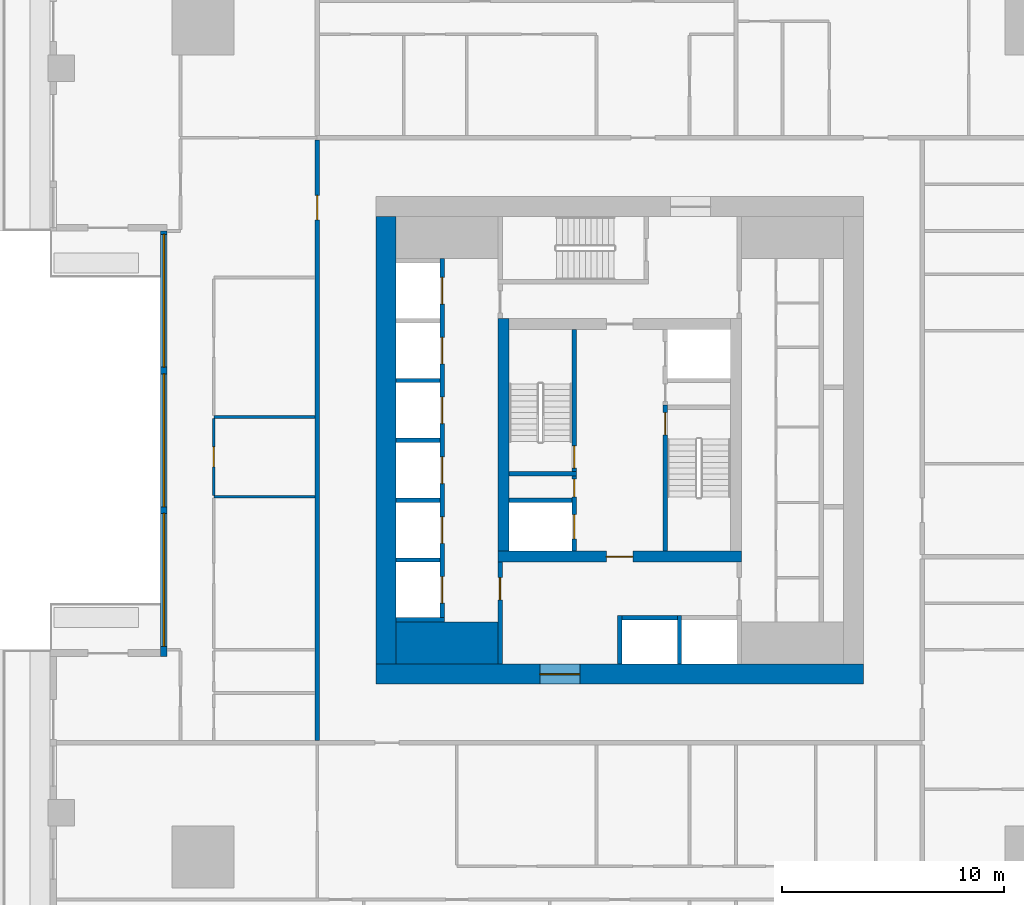
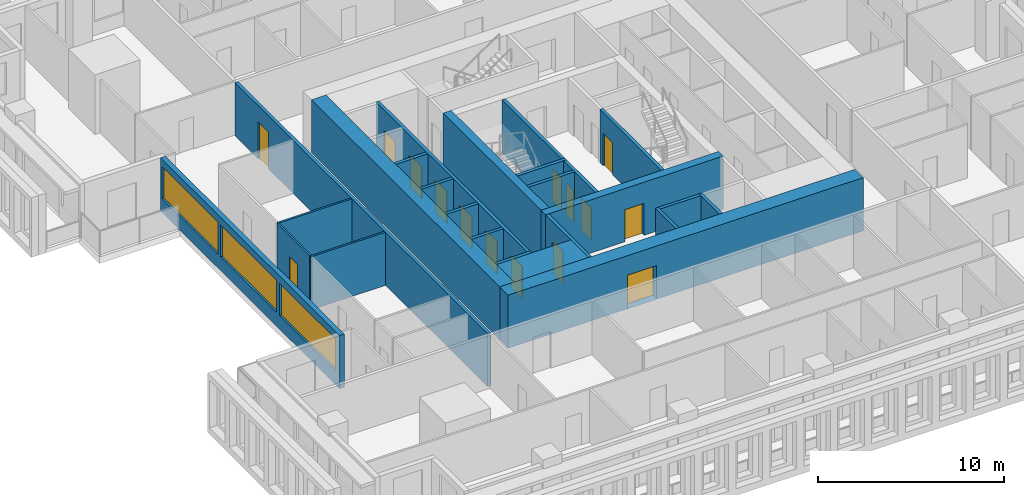
# One storey, part 3 of 14: 25 walls, 15 doors, 3 windows, 18 openings.
"""IFC4 building model written with IfcOpenShell, lengths in metres."""

import ifcopenshell
import ifcopenshell.guid

model = None  # the IFC model being written
_history = None  # IfcOwnerHistory: only IFC2X3 demands one
_inside = {}  # id of a spatial element -> (the spatial element, [elements in it])
_under = {}  # id of a project, library or spatial element -> (it, [spatial elements below it])
_declared = {}  # id of a project -> (the project, [libraries it declares])
_typed = {}  # id of a type object -> (the type object, [elements of that type])
_made_of = {}  # id of a material, layer set ... -> (it, [elements and type objects made of it])


def new_model(schema):
    """Start an empty IFC model of exactly this schema.

    Asked for "IFC4X3", IfcOpenShell would pick the latest addendum, in which some entities
    have other attributes; the version numbers below select the first issue.
    IFC2X3 requires an IfcOwnerHistory on every rooted entity: one is made here for all.
    """
    global model, _history
    if schema == "IFC4X3":
        model = ifcopenshell.file(schema_version=(4, 3, 0, 0))
    else:
        model = ifcopenshell.file(schema=schema)
    _inside.clear()
    _under.clear()
    _declared.clear()
    _typed.clear()
    _made_of.clear()
    _history = None
    if model.schema == "IFC2X3":
        org = make("IfcOrganization", Name="unknown")
        user = make(
            "IfcPersonAndOrganization",
            ThePerson=make("IfcPerson", FamilyName="unknown"),
            TheOrganization=org,
        )
        app = make(
            "IfcApplication",
            ApplicationDeveloper=org,
            Version="unknown",
            ApplicationFullName="unknown",
            ApplicationIdentifier="unknown",
        )
        _history = make(
            "IfcOwnerHistory",
            OwningUser=user,
            OwningApplication=app,
            ChangeAction="ADDED",
            CreationDate=0,
        )
    return model


def make(cls, **values):
    """One entity of the class cls with the attributes given. An attribute that is None is left unset."""
    return model.create_entity(
        cls, **{name: value for name, value in values.items() if value is not None}
    )


def rooted(cls, **values):
    """An entity with a GlobalId (a new one), such as an element, a storey or a relation."""
    return make(cls, GlobalId=ifcopenshell.guid.new(), OwnerHistory=_history, **values)


def si_unit(unit_type, name, prefix=None):
    """IfcSIUnit, for example si_unit("LENGTHUNIT", "METRE", prefix="MILLI")."""
    return make("IfcSIUnit", UnitType=unit_type, Prefix=prefix, Name=name)


def assignment(units):
    """IfcUnitAssignment: the units of a project."""
    return None if units is None else make("IfcUnitAssignment", Units=units)


def point(xyz):
    """IfcCartesianPoint."""
    return None if xyz is None else make("IfcCartesianPoint", Coordinates=xyz)


def direction(xyz):
    """IfcDirection."""
    return None if xyz is None else make("IfcDirection", DirectionRatios=xyz)


def frame(location, z_axis=None, x_axis=None):
    """IfcAxis2Placement3D, a coordinate frame: its origin and axes. An axis left out is left unset."""
    return make(
        "IfcAxis2Placement3D",
        Location=point(location),
        Axis=direction(z_axis),
        RefDirection=direction(x_axis),
    )


def frame_2d(location, x_axis=None):
    """IfcAxis2Placement2D, a coordinate frame in the plane: its origin and x axis."""
    return make(
        "IfcAxis2Placement2D", Location=point(location), RefDirection=direction(x_axis)
    )


def origin():
    """The frame at (0, 0, 0) with its axes left unset."""
    return frame((0.0, 0.0, 0.0))


def place(relative_to, where):
    """IfcLocalPlacement: puts the frame where relative to a parent placement (None: the world)."""
    return make(
        "IfcLocalPlacement", PlacementRelTo=relative_to, RelativePlacement=where
    )


def context(
    kind, dimensions, precision=None, world=None, true_north=None, identifier=None
):
    """IfcGeometricRepresentationContext, for example the 3D "Model" context."""
    return make(
        "IfcGeometricRepresentationContext",
        ContextIdentifier=identifier,
        ContextType=kind,
        CoordinateSpaceDimension=dimensions,
        Precision=precision,
        WorldCoordinateSystem=world,
        TrueNorth=true_north,
    )


def subcontext(parent, identifier, kind, view, scale=None):
    """IfcGeometricRepresentationSubContext, for example "Body" below "Model"."""
    return make(
        "IfcGeometricRepresentationSubContext",
        ContextIdentifier=identifier,
        ContextType=kind,
        ParentContext=parent,
        TargetScale=scale,
        TargetView=view,
    )


def project(units=None, contexts=None):
    """IfcProject with its units and contexts."""
    return rooted(
        "IfcProject",
        Name="project",
        RepresentationContexts=contexts,
        UnitsInContext=assignment(units),
    )


def spatial(cls, under=None, at=None, **own):
    """A site, building, storey or space (cls), placed at a placement, below another one or the project."""
    s = rooted(cls, ObjectPlacement=at, **own)
    if under is not None:
        _under.setdefault(under.id(), (under, []))[1].append(s)
    return s


def profile(cls, at=None, kind="AREA", **sizes):
    """A parametric profile (cls). Its sizes go by their IFC names, for example OverallWidth=200.0."""
    return make(cls, ProfileType=kind, Position=at, **sizes)


def rectangle(**sizes):
    """IfcRectangleProfileDef."""
    return profile("IfcRectangleProfileDef", **sizes)


def extrude(swept, where, along, depth):
    """IfcExtrudedAreaSolid: the profile swept, set in the frame where, extruded along a direction by depth."""
    return make(
        "IfcExtrudedAreaSolid",
        SweptArea=swept,
        Position=where,
        ExtrudedDirection=direction(along),
        Depth=depth,
    )


def shape(context_of_items, identifier, shape_type, items):
    """IfcShapeRepresentation: the items that make up one representation, for example the "Body"."""
    return make(
        "IfcShapeRepresentation",
        ContextOfItems=context_of_items,
        RepresentationIdentifier=identifier,
        RepresentationType=shape_type,
        Items=items,
    )


def material(Name=None, Category=None):
    """IfcMaterial."""
    return make("IfcMaterial", Name=Name, Category=Category)


def layer(
    of_material, thickness, ventilated=None, Name=None, Category=None, Priority=None
):
    """IfcMaterialLayer: one layer of a wall or slab, of a material (None: an air gap)."""
    return make(
        "IfcMaterialLayer",
        Material=of_material,
        LayerThickness=thickness,
        IsVentilated=ventilated,
        Name=Name,
        Category=Category,
        Priority=Priority,
    )


def layer_set(layers, Name=None):
    """IfcMaterialLayerSet."""
    return make("IfcMaterialLayerSet", MaterialLayers=layers, LayerSetName=Name)


def made_of(thing, what):
    """Note that an element or type object is made of a material, layer set ...; save() writes the relation."""
    if what is not None:
        _made_of.setdefault(what.id(), (what, []))[1].append(thing)
    return thing


def type_object(cls, material=None, **own):
    """A type object (cls), such as IfcWallType, which elements share."""
    return made_of(rooted(cls, **own), material)


def element(
    cls,
    number,
    at=None,
    inside=None,
    cuts=None,
    type_object=None,
    material=None,
    context=None,
    identifier="Body",
    shape_type=None,
    held_by="IfcProductDefinitionShape",
    body=None,
    shapes=None,
    **own,
):
    """One element of the class cls, such as IfcWall. Its Tag is "e" and its number.

    at: its placement. inside: the storey or other place that contains it. cuts: it is an
    opening in that element (IfcRelVoidsElement). A single representation is given by context,
    identifier, shape_type and body (its items); several are given by shapes. held_by: the class
    of the entity that holds the representations. save() writes the other relations.
    """
    e = rooted(cls, Tag="e%d" % number, ObjectPlacement=at, **own)
    if body is not None:
        shapes = [shape(context, identifier, shape_type, body)]
    if shapes is not None:
        e.Representation = make(held_by, Representations=shapes)
    if inside is not None:
        _inside.setdefault(inside.id(), (inside, []))[1].append(e)
    if cuts is not None:
        rooted(
            "IfcRelVoidsElement", RelatingBuildingElement=cuts, RelatedOpeningElement=e
        )
    if type_object is not None:
        _typed.setdefault(type_object.id(), (type_object, []))[1].append(e)
    return made_of(e, material)


def fill(opening, filler):
    """IfcRelFillsElement: the door or window that sits in an opening."""
    return rooted(
        "IfcRelFillsElement",
        RelatingOpeningElement=opening,
        RelatedBuildingElement=filler,
    )


def aggregate(whole, parts):
    """IfcRelAggregates: a whole, such as a stair, and the parts it consists of."""
    return rooted("IfcRelAggregates", RelatingObject=whole, RelatedObjects=parts)


def save(model, path):
    """Write the relations noted so far, then the file.

    IfcRelAggregates (storeys below a building ...), IfcRelContainedInSpatialStructure (elements
    in a storey), IfcRelDefinesByType, IfcRelAssociatesMaterial and IfcRelDeclares: one each for
    every whole, place, type object, material and project.
    """
    for whole, parts in _under.values():
        aggregate(whole, parts)
    for where, things in _inside.values():
        rooted(
            "IfcRelContainedInSpatialStructure",
            RelatedElements=things,
            RelatingStructure=where,
        )
    for kind, things in _typed.values():
        rooted("IfcRelDefinesByType", RelatedObjects=things, RelatingType=kind)
    for what, things in _made_of.values():
        rooted("IfcRelAssociatesMaterial", RelatedObjects=things, RelatingMaterial=what)
    for by, libraries in _declared.values():
        rooted("IfcRelDeclares", RelatingContext=by, RelatedDefinitions=libraries)
    model.write(path)


model = new_model("IFC4")

# Units and contexts
model_context = context("Model", 3, precision=1e-05, world=origin(), true_north=direction((0.0, 1.0)))
body_context = subcontext(model_context, "Body", "Model", "MODEL_VIEW")
ifc_project = project(units=[si_unit("LENGTHUNIT", "METRE"), si_unit("AREAUNIT", "SQUARE_METRE"), si_unit("VOLUMEUNIT", "CUBIC_METRE"), si_unit("PLANEANGLEUNIT", "RADIAN"), si_unit("MASSUNIT", "GRAM", prefix="KILO")], contexts=[model_context])

# Site, building, storey
site_placement = place(None, origin())
site = spatial("IfcSite", under=ifc_project, at=site_placement, CompositionType="ELEMENT")
building_placement = place(site_placement, origin())
building = spatial("IfcBuilding", under=site, at=building_placement, Name="Khepri Terraces", CompositionType="ELEMENT")
storey_placement = place(building_placement, frame((0.0, 0.0, 102.60009765625)))
storey = spatial("IfcBuildingStorey", under=building, at=storey_placement, Name="L24", CompositionType="ELEMENT", Elevation=102.60009765625)

# Wall
ifc_material_1 = material(Name="Concrete C70/85", Category="concrete")
ifc_layer_1 = layer(ifc_material_1, 1.89990234375, Name="Concrete C70/85", Category="concrete")
ifc_layer_set_1 = layer_set([ifc_layer_1], Name="Concrete C70/85")
wall_type_1 = type_object("IfcWallType", Name="Core wall 1900 C70/85", PredefinedType="SHEAR", material=ifc_layer_set_1)
wall_1_placement = place(storey_placement, frame((-10.10009765625, -9.14990234375, 0.0), z_axis=(0.0, 0.0, 1.0), x_axis=(1.0, 0.0, 0.0)))
element("IfcWall", 1, at=wall_1_placement, inside=storey, type_object=wall_type_1, Name="Core wall PR01 L24", PredefinedType="SHEAR", context=body_context, shape_type="SweptSolid", body=[
    extrude(rectangle(XDim=4.60009765625, YDim=1.89990234375, at=frame_2d((2.300048828125, 0.0))), origin(), (0.0, 0.0, 1.0), 3.47998046875),
])

# Wall, opening, door
ifc_layer_2 = layer(ifc_material_1, 0.199951171875, Name="Concrete C70/85", Category="concrete")
ifc_layer_set_2 = layer_set([ifc_layer_2], Name="Concrete C70/85")
wall_type_2 = type_object("IfcWallType", Name="Core wall 200 C70/85", PredefinedType="SHEAR", material=ifc_layer_set_2)
wall_2_placement = place(storey_placement, frame((2.050048828125, -5.0, 0.0), z_axis=(0.0, 0.0, 1.0), x_axis=(0.0, 1.0, 0.0)))
wall_2 = element("IfcWall", 2, at=wall_2_placement, inside=storey, type_object=wall_type_2, Name="Core wall ST01 L24", PredefinedType="SHEAR", context=body_context, shape_type="SweptSolid", body=[
    extrude(rectangle(XDim=6.60009765625, YDim=0.199951171875, at=frame_2d((3.300048828125, 0.0))), origin(), (0.0, 0.0, 1.0), 3.47998046875),
])
opening_1_placement = place(wall_2_placement, frame((5.25, 0.0, 0.0)))
opening_1 = element("IfcOpeningElement", 3, at=opening_1_placement, cuts=wall_2, Name="Opening L24-C10", PredefinedType="OPENING", context=body_context, shape_type="SweptSolid", body=[
    extrude(rectangle(XDim=1.0, YDim=2.10009765625, at=frame_2d((0.5, 1.050048828125))), frame((0.0, 0.10986328125, 0.0), z_axis=(0.0, -1.0, 0.0), x_axis=(1.0, 0.0, 0.0)), (0.0, 0.0, 1.0), 0.219970703125),
])
ifc_material_2 = material(Name="Painted steel", Category="steel")
door_type_1 = type_object("IfcDoorType", Name="DR-CORE-STAIR-1000", OperationType="NOTDEFINED", PredefinedType="DOOR", material=ifc_material_2)
door_1_placement = place(opening_1_placement, frame((1.0, 0.0, 0.0), z_axis=(0.0, 0.0, 1.0), x_axis=(-1.0, 0.0, 0.0)))
door_1 = element("IfcDoor", 4, at=door_1_placement, inside=storey, type_object=door_type_1, Name="Stair door L24-C10", OperationType="SINGLE_SWING_LEFT", OverallHeight=2.10009765625, OverallWidth=1.0, PredefinedType="DOOR", context=body_context, shape_type="SweptSolid", body=[
    extrude(rectangle(XDim=1.0, YDim=2.10009765625, at=frame_2d((0.5, 1.050048828125))), frame((0.0, 0.02490234375, 0.0), z_axis=(0.0, -1.0, 0.0), x_axis=(1.0, 0.0, 0.0)), (0.0, 0.0, 1.0), 0.050048828125),
])
fill(opening_1, door_1)

# Wall
wall_3_placement = place(storey_placement, frame((-5.0, -1.5, 0.0), z_axis=(0.0, 0.0, 1.0), x_axis=(1.0, 0.0, 0.0)))
element("IfcWall", 5, at=wall_3_placement, inside=storey, type_object=wall_type_2, Name="Core wall ST02 L24", PredefinedType="SHEAR", context=body_context, shape_type="SweptSolid", body=[
    extrude(rectangle(XDim=3.050048828125, YDim=0.199951171875, at=frame_2d((1.52490234375, 0.0))), origin(), (0.0, 0.0, 1.0), 3.47998046875),
])

# Wall, opening, door
wall_4_placement = place(storey_placement, frame((-2.050048828125, -1.39990234375, 0.0), z_axis=(0.0, 0.0, 1.0), x_axis=(0.0, 1.0, 0.0)))
wall_4 = element("IfcWall", 6, at=wall_4_placement, inside=storey, type_object=wall_type_2, Name="Core wall ST03 L24", PredefinedType="SHEAR", context=body_context, shape_type="SweptSolid", body=[
    extrude(rectangle(XDim=6.39990234375, YDim=0.199951171875, at=frame_2d((3.199951171875, 0.0))), origin(), (0.0, 0.0, 1.0), 3.47998046875),
])
opening_2_placement = place(wall_4_placement, frame((0.14990234375, 0.0, 0.0)))
opening_2 = element("IfcOpeningElement", 7, at=opening_2_placement, cuts=wall_4, Name="Opening L24-C09", PredefinedType="OPENING", context=body_context, shape_type="SweptSolid", body=[
    extrude(rectangle(XDim=1.0, YDim=2.10009765625, at=frame_2d((0.5, 1.050048828125))), frame((0.0, 0.10986328125, 0.0), z_axis=(0.0, -1.0, 0.0), x_axis=(1.0, 0.0, 0.0)), (0.0, 0.0, 1.0), 0.219970703125),
])
door_2_placement = place(opening_2_placement, origin())
door_2 = element("IfcDoor", 8, at=door_2_placement, inside=storey, type_object=door_type_1, Name="Stair door L24-C09", OperationType="SINGLE_SWING_LEFT", OverallHeight=2.10009765625, OverallWidth=1.0, PredefinedType="DOOR", context=body_context, shape_type="SweptSolid", body=[
    extrude(rectangle(XDim=1.0, YDim=2.10009765625, at=frame_2d((0.5, 1.050048828125))), frame((0.0, 0.02490234375, 0.0), z_axis=(0.0, -1.0, 0.0), x_axis=(1.0, 0.0, 0.0)), (0.0, 0.0, 1.0), 0.050048828125),
])
fill(opening_2, door_2)

# Walls
for number, where, z_axis, x_axis, name in (
    (9, (0.0, -10.10009765625, 0.0), (0.0, 0.0, 1.0), (0.0, 1.0, 0.0), "Core wall SH01 L24"),
    (10, (2.699951171875, -10.10009765625, 0.0), (0.0, 0.0, 1.0), (0.0, 1.0, 0.0), "Core wall SH02 L24"),
    (11, (-10.10009765625, -8.10009765625, 0.0), (0.0, 0.0, 1.0), (1.0, 0.0, 0.0), "Core wall SH04 L24"),
):
    element("IfcWall", number, at=place(storey_placement, frame(where, z_axis=z_axis, x_axis=x_axis)), inside=storey, type_object=wall_type_2, Name=name, PredefinedType="SHEAR", context=body_context, shape_type="SweptSolid", body=[
        extrude(rectangle(XDim=2.2001953125, YDim=0.199951171875, at=frame_2d((1.10009765625, 0.0))), origin(), (0.0, 0.0, 1.0), 3.47998046875),
    ])
wall_5_placement = place(storey_placement, frame((0.10009765625, -8.0, 0.0), z_axis=(0.0, 0.0, 1.0), x_axis=(1.0, 0.0, 0.0)))
element("IfcWall", 12, at=wall_5_placement, inside=storey, type_object=wall_type_2, Name="Core wall SH06 L24", PredefinedType="SHEAR", context=body_context, shape_type="SweptSolid", body=[
    extrude(rectangle(XDim=2.5, YDim=0.199951171875, at=frame_2d((1.25, 0.0))), origin(), (0.0, 0.0, 1.0), 3.47998046875),
])

# Wall, openings, doors
wall_6_placement = place(storey_placement, frame((-8.0, -8.0, 0.0), z_axis=(0.0, 0.0, 1.0), x_axis=(0.0, 1.0, 0.0)))
wall_6 = element("IfcWall", 13, at=wall_6_placement, inside=storey, type_object=wall_type_2, Name="Core wall SH08 L24", PredefinedType="SHEAR", context=body_context, shape_type="SweptSolid", body=[
    extrude(rectangle(XDim=16.199951171875, YDim=0.199951171875, at=frame_2d((8.10009765625, 0.0))), origin(), (0.0, 0.0, 1.0), 3.47998046875),
])
opening_3_placement = place(wall_6_placement, frame((0.64990234375, 0.0, 0.0)))
opening_3 = element("IfcOpeningElement", 14, at=opening_3_placement, cuts=wall_6, Name="Opening L24-C01", PredefinedType="OPENING", context=body_context, shape_type="SweptSolid", body=[
    extrude(rectangle(XDim=1.199951171875, YDim=2.10009765625, at=frame_2d((0.60009765625, 1.050048828125))), frame((0.0, 0.10986328125, 0.0), z_axis=(0.0, -1.0, 0.0), x_axis=(1.0, 0.0, 0.0)), (0.0, 0.0, 1.0), 0.219970703125),
])
opening_4_placement = place(wall_6_placement, frame((3.35009765625, 0.0, 0.0)))
opening_4 = element("IfcOpeningElement", 15, at=opening_4_placement, cuts=wall_6, Name="Opening L24-C02", PredefinedType="OPENING", context=body_context, shape_type="SweptSolid", body=[
    extrude(rectangle(XDim=1.199951171875, YDim=2.10009765625, at=frame_2d((0.60009765625, 1.050048828125))), frame((0.0, 0.10986328125, 0.0), z_axis=(0.0, -1.0, 0.0), x_axis=(1.0, 0.0, 0.0)), (0.0, 0.0, 1.0), 0.219970703125),
])
opening_5_placement = place(wall_6_placement, frame((6.050048828125, 0.0, 0.0)))
opening_5 = element("IfcOpeningElement", 16, at=opening_5_placement, cuts=wall_6, Name="Opening L24-C03", PredefinedType="OPENING", context=body_context, shape_type="SweptSolid", body=[
    extrude(rectangle(XDim=1.199951171875, YDim=2.10009765625, at=frame_2d((0.60009765625, 1.050048828125))), frame((0.0, 0.10986328125, 0.0), z_axis=(0.0, -1.0, 0.0), x_axis=(1.0, 0.0, 0.0)), (0.0, 0.0, 1.0), 0.219970703125),
])
opening_6_placement = place(wall_6_placement, frame((8.75, 0.0, 0.0)))
opening_6 = element("IfcOpeningElement", 17, at=opening_6_placement, cuts=wall_6, Name="Opening L24-C04", PredefinedType="OPENING", context=body_context, shape_type="SweptSolid", body=[
    extrude(rectangle(XDim=1.199951171875, YDim=2.10009765625, at=frame_2d((0.60009765625, 1.050048828125))), frame((0.0, 0.10986328125, 0.0), z_axis=(0.0, -1.0, 0.0), x_axis=(1.0, 0.0, 0.0)), (0.0, 0.0, 1.0), 0.219970703125),
])
opening_7_placement = place(wall_6_placement, frame((11.449951171875, 0.0, 0.0)))
opening_7 = element("IfcOpeningElement", 18, at=opening_7_placement, cuts=wall_6, Name="Opening L24-C05", PredefinedType="OPENING", context=body_context, shape_type="SweptSolid", body=[
    extrude(rectangle(XDim=1.199951171875, YDim=2.10009765625, at=frame_2d((0.60009765625, 1.050048828125))), frame((0.0, 0.10986328125, 0.0), z_axis=(0.0, -1.0, 0.0), x_axis=(1.0, 0.0, 0.0)), (0.0, 0.0, 1.0), 0.219970703125),
])
opening_8_placement = place(wall_6_placement, frame((14.14990234375, 0.0, 0.0)))
opening_8 = element("IfcOpeningElement", 19, at=opening_8_placement, cuts=wall_6, Name="Opening L24-C06", PredefinedType="OPENING", context=body_context, shape_type="SweptSolid", body=[
    extrude(rectangle(XDim=1.199951171875, YDim=2.10009765625, at=frame_2d((0.60009765625, 1.050048828125))), frame((0.0, 0.10986328125, 0.0), z_axis=(0.0, -1.0, 0.0), x_axis=(1.0, 0.0, 0.0)), (0.0, 0.0, 1.0), 0.219970703125),
])
ifc_material_3 = material(Name="Stainless steel 304", Category="steel")
door_type_2 = type_object("IfcDoorType", Name="DR-CORE-LANDING-1200", OperationType="NOTDEFINED", PredefinedType="DOOR", material=ifc_material_3)
door_3_placement = place(opening_3_placement, origin())
door_3 = element("IfcDoor", 20, at=door_3_placement, inside=storey, type_object=door_type_2, Name="Lift landing door L24-C01", OperationType="SLIDING_TO_LEFT", OverallHeight=2.10009765625, OverallWidth=1.199951171875, PredefinedType="DOOR", context=body_context, shape_type="SweptSolid", body=[
    extrude(rectangle(XDim=1.199951171875, YDim=2.10009765625, at=frame_2d((0.60009765625, 1.050048828125))), frame((0.0, 0.02490234375, 0.0), z_axis=(0.0, -1.0, 0.0), x_axis=(1.0, 0.0, 0.0)), (0.0, 0.0, 1.0), 0.050048828125),
])
fill(opening_3, door_3)
door_4_placement = place(opening_4_placement, origin())
door_4 = element("IfcDoor", 21, at=door_4_placement, inside=storey, type_object=door_type_2, Name="Lift landing door L24-C02", OperationType="SLIDING_TO_LEFT", OverallHeight=2.10009765625, OverallWidth=1.199951171875, PredefinedType="DOOR", context=body_context, shape_type="SweptSolid", body=[
    extrude(rectangle(XDim=1.199951171875, YDim=2.10009765625, at=frame_2d((0.60009765625, 1.050048828125))), frame((0.0, 0.02490234375, 0.0), z_axis=(0.0, -1.0, 0.0), x_axis=(1.0, 0.0, 0.0)), (0.0, 0.0, 1.0), 0.050048828125),
])
fill(opening_4, door_4)
door_5_placement = place(opening_5_placement, origin())
door_5 = element("IfcDoor", 22, at=door_5_placement, inside=storey, type_object=door_type_2, Name="Lift landing door L24-C03", OperationType="SLIDING_TO_LEFT", OverallHeight=2.10009765625, OverallWidth=1.199951171875, PredefinedType="DOOR", context=body_context, shape_type="SweptSolid", body=[
    extrude(rectangle(XDim=1.199951171875, YDim=2.10009765625, at=frame_2d((0.60009765625, 1.050048828125))), frame((0.0, 0.02490234375, 0.0), z_axis=(0.0, -1.0, 0.0), x_axis=(1.0, 0.0, 0.0)), (0.0, 0.0, 1.0), 0.050048828125),
])
fill(opening_5, door_5)
door_6_placement = place(opening_6_placement, origin())
door_6 = element("IfcDoor", 23, at=door_6_placement, inside=storey, type_object=door_type_2, Name="Lift landing door L24-C04", OperationType="SLIDING_TO_LEFT", OverallHeight=2.10009765625, OverallWidth=1.199951171875, PredefinedType="DOOR", context=body_context, shape_type="SweptSolid", body=[
    extrude(rectangle(XDim=1.199951171875, YDim=2.10009765625, at=frame_2d((0.60009765625, 1.050048828125))), frame((0.0, 0.02490234375, 0.0), z_axis=(0.0, -1.0, 0.0), x_axis=(1.0, 0.0, 0.0)), (0.0, 0.0, 1.0), 0.050048828125),
])
fill(opening_6, door_6)
door_7_placement = place(opening_7_placement, origin())
door_7 = element("IfcDoor", 24, at=door_7_placement, inside=storey, type_object=door_type_2, Name="Lift landing door L24-C05", OperationType="SLIDING_TO_LEFT", OverallHeight=2.10009765625, OverallWidth=1.199951171875, PredefinedType="DOOR", context=body_context, shape_type="SweptSolid", body=[
    extrude(rectangle(XDim=1.199951171875, YDim=2.10009765625, at=frame_2d((0.60009765625, 1.050048828125))), frame((0.0, 0.02490234375, 0.0), z_axis=(0.0, -1.0, 0.0), x_axis=(1.0, 0.0, 0.0)), (0.0, 0.0, 1.0), 0.050048828125),
])
fill(opening_7, door_7)
door_8_placement = place(opening_8_placement, origin())
door_8 = element("IfcDoor", 25, at=door_8_placement, inside=storey, type_object=door_type_2, Name="Lift landing door L24-C06", OperationType="SLIDING_TO_LEFT", OverallHeight=2.10009765625, OverallWidth=1.199951171875, PredefinedType="DOOR", context=body_context, shape_type="SweptSolid", body=[
    extrude(rectangle(XDim=1.199951171875, YDim=2.10009765625, at=frame_2d((0.60009765625, 1.050048828125))), frame((0.0, 0.02490234375, 0.0), z_axis=(0.0, -1.0, 0.0), x_axis=(1.0, 0.0, 0.0)), (0.0, 0.0, 1.0), 0.050048828125),
])
fill(opening_8, door_8)

# Wall
wall_7_placement = place(storey_placement, frame((-10.10009765625, -5.39990234375, 0.0), z_axis=(0.0, 0.0, 1.0), x_axis=(1.0, 0.0, 0.0)))
element("IfcWall", 26, at=wall_7_placement, inside=storey, type_object=wall_type_2, Name="Core wall SH09 L24", PredefinedType="SHEAR", context=body_context, shape_type="SweptSolid", body=[
    extrude(rectangle(XDim=2.0, YDim=0.199951171875, at=frame_2d((1.0, 0.0))), origin(), (0.0, 0.0, 1.0), 3.47998046875),
])

# Wall, openings, doors
wall_8_placement = place(storey_placement, frame((-2.050048828125, -5.0, 0.0), z_axis=(0.0, 0.0, 1.0), x_axis=(0.0, 1.0, 0.0)))
wall_8 = element("IfcWall", 27, at=wall_8_placement, inside=storey, type_object=wall_type_2, Name="Core wall SH10 L24", PredefinedType="SHEAR", context=body_context, shape_type="SweptSolid", body=[
    extrude(rectangle(XDim=3.39990234375, YDim=0.199951171875, at=frame_2d((1.699951171875, 0.0))), origin(), (0.0, 0.0, 1.0), 3.47998046875),
])
opening_9_placement = place(wall_8_placement, frame((0.550048828125, 0.0, 0.0)))
opening_9 = element("IfcOpeningElement", 28, at=opening_9_placement, cuts=wall_8, Name="Opening L24-C08", PredefinedType="OPENING", context=body_context, shape_type="SweptSolid", body=[
    extrude(rectangle(XDim=1.10009765625, YDim=2.10009765625, at=frame_2d((0.550048828125, 1.050048828125))), frame((0.0, 0.10986328125, 0.0), z_axis=(0.0, -1.0, 0.0), x_axis=(1.0, 0.0, 0.0)), (0.0, 0.0, 1.0), 0.219970703125),
])
opening_10_placement = place(wall_8_placement, frame((2.449951171875, 0.0, 0.0)))
opening_10 = element("IfcOpeningElement", 29, at=opening_10_placement, cuts=wall_8, Name="Opening L24-C12", PredefinedType="OPENING", context=body_context, shape_type="SweptSolid", body=[
    extrude(rectangle(XDim=0.800048828125, YDim=2.10009765625, at=frame_2d((0.39990234375, 1.050048828125))), frame((0.0, 0.10986328125, 0.0), z_axis=(0.0, -1.0, 0.0), x_axis=(1.0, 0.0, 0.0)), (0.0, 0.0, 1.0), 0.219970703125),
])
door_type_3 = type_object("IfcDoorType", Name="DR-CORE-FF-LANDING-1100", OperationType="NOTDEFINED", PredefinedType="DOOR", material=ifc_material_3)
door_9_placement = place(opening_9_placement, origin())
door_9 = element("IfcDoor", 30, at=door_9_placement, inside=storey, type_object=door_type_3, Name="Firefighting lift landing door L24-C08", OperationType="SLIDING_TO_LEFT", OverallHeight=2.10009765625, OverallWidth=1.10009765625, PredefinedType="DOOR", context=body_context, shape_type="SweptSolid", body=[
    extrude(rectangle(XDim=1.10009765625, YDim=2.10009765625, at=frame_2d((0.550048828125, 1.050048828125))), frame((0.0, 0.02490234375, 0.0), z_axis=(0.0, -1.0, 0.0), x_axis=(1.0, 0.0, 0.0)), (0.0, 0.0, 1.0), 0.050048828125),
])
fill(opening_9, door_9)
door_type_4 = type_object("IfcDoorType", Name="DR-CORE-RISER-800", OperationType="NOTDEFINED", PredefinedType="DOOR", material=ifc_material_2)
door_10_placement = place(opening_10_placement, origin())
door_10 = element("IfcDoor", 31, at=door_10_placement, inside=storey, type_object=door_type_4, Name="Riser door L24-C12", OperationType="SINGLE_SWING_RIGHT", OverallHeight=2.10009765625, OverallWidth=0.800048828125, PredefinedType="DOOR", context=body_context, shape_type="SweptSolid", body=[
    extrude(rectangle(XDim=0.800048828125, YDim=2.10009765625, at=frame_2d((0.39990234375, 1.050048828125))), frame((0.0, 0.02490234375, 0.0), z_axis=(0.0, -1.0, 0.0), x_axis=(1.0, 0.0, 0.0)), (0.0, 0.0, 1.0), 0.050048828125),
])
fill(opening_10, door_10)

# Walls
wall_9_placement = place(storey_placement, frame((-10.10009765625, -2.699951171875, 0.0), z_axis=(0.0, 0.0, 1.0), x_axis=(1.0, 0.0, 0.0)))
element("IfcWall", 32, at=wall_9_placement, inside=storey, type_object=wall_type_2, Name="Core wall SH12 L24", PredefinedType="SHEAR", context=body_context, shape_type="SweptSolid", body=[
    extrude(rectangle(XDim=2.0, YDim=0.199951171875, at=frame_2d((1.0, 0.0))), origin(), (0.0, 0.0, 1.0), 3.47998046875),
])
wall_10_placement = place(storey_placement, frame((-5.0, -2.699951171875, 0.0), z_axis=(0.0, 0.0, 1.0), x_axis=(1.0, 0.0, 0.0)))
element("IfcWall", 33, at=wall_10_placement, inside=storey, type_object=wall_type_2, Name="Core wall SH13 L24", PredefinedType="SHEAR", context=body_context, shape_type="SweptSolid", body=[
    extrude(rectangle(XDim=2.85009765625, YDim=0.199951171875, at=frame_2d((1.425048828125, 0.0))), origin(), (0.0, 0.0, 1.0), 3.47998046875),
])
for number, where, z_axis, x_axis, name in (
    (34, (-10.10009765625, 0.0, 0.0), (0.0, 0.0, 1.0), (1.0, 0.0, 0.0), "Core wall SH14 L24"),
    (35, (-10.10009765625, 2.699951171875, 0.0), (0.0, 0.0, 1.0), (1.0, 0.0, 0.0), "Core wall SH17 L24"),
):
    element("IfcWall", number, at=place(storey_placement, frame(where, z_axis=z_axis, x_axis=x_axis)), inside=storey, type_object=wall_type_2, Name=name, PredefinedType="SHEAR", context=body_context, shape_type="SweptSolid", body=[
        extrude(rectangle(XDim=2.0, YDim=0.199951171875, at=frame_2d((1.0, 0.0))), origin(), (0.0, 0.0, 1.0), 3.47998046875),
    ])

# Wall, opening, door
ifc_layer_3 = layer(ifc_material_1, 0.5, Name="Concrete C70/85", Category="concrete")
ifc_layer_set_3 = layer_set([ifc_layer_3], Name="Concrete C70/85")
wall_type_3 = type_object("IfcWallType", Name="Core wall 500 C70/85", PredefinedType="SHEAR", material=ifc_layer_set_3)
wall_11_placement = place(storey_placement, frame((-5.5, -5.25, 0.0), z_axis=(0.0, 0.0, 1.0), x_axis=(1.0, 0.0, 0.0)))
wall_11 = element("IfcWall", 36, at=wall_11_placement, inside=storey, type_object=wall_type_3, Name="Core wall BX01 L24", PredefinedType="SHEAR", context=body_context, shape_type="SweptSolid", body=[
    extrude(rectangle(XDim=11.0, YDim=0.5, at=frame_2d((5.5, 0.0))), origin(), (0.0, 0.0, 1.0), 3.47998046875),
])
opening_11_placement = place(wall_11_placement, frame((4.89990234375, 0.0, 0.0)))
opening_11 = element("IfcOpeningElement", 37, at=opening_11_placement, cuts=wall_11, Name="Opening L24-C14", PredefinedType="OPENING", context=body_context, shape_type="SweptSolid", body=[
    extrude(rectangle(XDim=1.199951171875, YDim=2.10009765625, at=frame_2d((0.60009765625, 1.050048828125))), frame((0.0, 0.260009765625, 0.0), z_axis=(0.0, -1.0, 0.0), x_axis=(1.0, 0.0, 0.0)), (0.0, 0.0, 1.0), 0.52001953125),
])
door_type_5 = type_object("IfcDoorType", Name="DR-CORE-FF-LOBBY-1200", OperationType="NOTDEFINED", PredefinedType="DOOR", material=ifc_material_2)
door_11_placement = place(opening_11_placement, origin())
door_11 = element("IfcDoor", 38, at=door_11_placement, inside=storey, type_object=door_type_5, Name="Firefighting lobby door L24-C14", OperationType="SINGLE_SWING_RIGHT", OverallHeight=2.10009765625, OverallWidth=1.199951171875, PredefinedType="DOOR", context=body_context, shape_type="SweptSolid", body=[
    extrude(rectangle(XDim=1.199951171875, YDim=2.10009765625, at=frame_2d((0.60009765625, 1.050048828125))), frame((0.0, 0.02490234375, 0.0), z_axis=(0.0, -1.0, 0.0), x_axis=(1.0, 0.0, 0.0)), (0.0, 0.0, 1.0), 0.050048828125),
])
fill(opening_11, door_11)

# Wall
wall_12_placement = place(storey_placement, frame((-5.25, -5.0, 0.0), z_axis=(0.0, 0.0, 1.0), x_axis=(0.0, 1.0, 0.0)))
element("IfcWall", 39, at=wall_12_placement, inside=storey, type_object=wall_type_3, Name="Core wall BX02 L24", PredefinedType="SHEAR", context=body_context, shape_type="SweptSolid", body=[
    extrude(rectangle(XDim=10.5, YDim=0.5, at=frame_2d((5.25, 0.0))), origin(), (0.0, 0.0, 1.0), 3.47998046875),
])

# Wall, opening, door
ifc_layer_4 = layer(ifc_material_1, 0.89990234375, Name="Concrete C70/85", Category="concrete")
ifc_layer_set_4 = layer_set([ifc_layer_4], Name="Concrete C70/85")
wall_type_4 = type_object("IfcWallType", Name="Core wall 900 C70/85", PredefinedType="SHEAR", material=ifc_layer_set_4)
wall_13_placement = place(storey_placement, frame((-11.0, -10.550048828125, 0.0), z_axis=(0.0, 0.0, 1.0), x_axis=(1.0, 0.0, 0.0)))
wall_13 = element("IfcWall", 40, at=wall_13_placement, inside=storey, type_object=wall_type_4, Name="Core wall OW-S L24", PredefinedType="SHEAR", context=body_context, shape_type="SweptSolid", body=[
    extrude(rectangle(XDim=22.0, YDim=0.89990234375, at=frame_2d((11.0, 0.0))), origin(), (0.0, 0.0, 1.0), 3.47998046875),
])
opening_12_placement = place(wall_13_placement, frame((7.39990234375, 0.0, 0.0)))
opening_12 = element("IfcOpeningElement", 41, at=opening_12_placement, cuts=wall_13, Name="Opening L24-C21", PredefinedType="OPENING", context=body_context, shape_type="SweptSolid", body=[
    extrude(rectangle(XDim=1.800048828125, YDim=2.199951171875, at=frame_2d((0.89990234375, 1.10009765625))), frame((0.0, 0.4599609375, 0.0), z_axis=(0.0, -1.0, 0.0), x_axis=(1.0, 0.0, 0.0)), (0.0, 0.0, 1.0), 0.919921875),
])
door_type_6 = type_object("IfcDoorType", Name="DR-CORE-ENTRANCE-1800", OperationType="NOTDEFINED", PredefinedType="DOOR", material=ifc_material_2)
door_12_placement = place(opening_12_placement, frame((1.800048828125, 0.0, 0.0), z_axis=(0.0, 0.0, 1.0), x_axis=(-1.0, 0.0, 0.0)))
door_12 = element("IfcDoor", 42, at=door_12_placement, inside=storey, type_object=door_type_6, Name="Core entrance door pair L24-C21", OperationType="DOUBLE_DOOR_SINGLE_SWING", OverallHeight=2.199951171875, OverallWidth=1.800048828125, PredefinedType="DOOR", context=body_context, shape_type="SweptSolid", body=[
    extrude(rectangle(XDim=1.800048828125, YDim=2.199951171875, at=frame_2d((0.89990234375, 1.10009765625))), frame((0.0, 0.02490234375, 0.0), z_axis=(0.0, -1.0, 0.0), x_axis=(1.0, 0.0, 0.0)), (0.0, 0.0, 1.0), 0.050048828125),
])
fill(opening_12, door_12)

# Wall
wall_14_placement = place(storey_placement, frame((-10.550048828125, -10.10009765625, 0.0), z_axis=(0.0, 0.0, 1.0), x_axis=(0.0, 1.0, 0.0)))
element("IfcWall", 43, at=wall_14_placement, inside=storey, type_object=wall_type_4, Name="Core wall OW-W L24", PredefinedType="SHEAR", context=body_context, shape_type="SweptSolid", body=[
    extrude(rectangle(XDim=20.2001953125, YDim=0.89990234375, at=frame_2d((10.10009765625, 0.0))), origin(), (0.0, 0.0, 1.0), 3.47998046875),
])

# Wall, opening, door
ifc_material_4 = material(Name="Fire-rated gypsum board partition")
ifc_layer_5 = layer(ifc_material_4, 0.199951171875, Name="Fire-rated gypsum board partition")
ifc_layer_set_5 = layer_set([ifc_layer_5], Name="Fire-rated gypsum board partition")
wall_type_5 = type_object("IfcWallType", Name="WL-CORE-PART-200", PredefinedType="PARTITIONING", material=ifc_layer_set_5)
wall_15_placement = place(storey_placement, frame((-5.39990234375, -10.10009765625, 0.0), z_axis=(0.0, 0.0, 1.0), x_axis=(0.0, 1.0, 0.0)))
wall_15 = element("IfcWall", 44, at=wall_15_placement, inside=storey, type_object=wall_type_5, Name="Core partition PT01 L24", PredefinedType="PARTITIONING", context=body_context, shape_type="SweptSolid", body=[
    extrude(rectangle(XDim=4.60009765625, YDim=0.199951171875, at=frame_2d((2.300048828125, 0.0))), origin(), (0.0, 0.0, 1.0), 3.47998046875),
])
opening_13_placement = place(wall_15_placement, frame((2.89990234375, 0.0, 0.0)))
opening_13 = element("IfcOpeningElement", 45, at=opening_13_placement, cuts=wall_15, Name="Opening L24-C18", PredefinedType="OPENING", context=body_context, shape_type="SweptSolid", body=[
    extrude(rectangle(XDim=1.0, YDim=2.10009765625, at=frame_2d((0.5, 1.050048828125))), frame((0.0, 0.10986328125, 0.0), z_axis=(0.0, -1.0, 0.0), x_axis=(1.0, 0.0, 0.0)), (0.0, 0.0, 1.0), 0.219970703125),
])
door_type_7 = type_object("IfcDoorType", Name="DR-CORE-LOBBY-1000", OperationType="NOTDEFINED", PredefinedType="DOOR", material=ifc_material_2)
door_13_placement = place(opening_13_placement, frame((1.0, 0.0, 0.0), z_axis=(0.0, 0.0, 1.0), x_axis=(-1.0, 0.0, 0.0)))
door_13 = element("IfcDoor", 46, at=door_13_placement, inside=storey, type_object=door_type_7, Name="Lobby door L24-C18", OperationType="SINGLE_SWING_LEFT", OverallHeight=2.10009765625, OverallWidth=1.0, PredefinedType="DOOR", context=body_context, shape_type="SweptSolid", body=[
    extrude(rectangle(XDim=1.0, YDim=2.10009765625, at=frame_2d((0.5, 1.050048828125))), frame((0.0, 0.02490234375, 0.0), z_axis=(0.0, -1.0, 0.0), x_axis=(1.0, 0.0, 0.0)), (0.0, 0.0, 1.0), 0.050048828125),
])
fill(opening_13, door_13)

ifc_material_5 = material(Name="Fire-rated gypsum plasterboard partition, mineral wool")
ifc_layer_6 = layer(ifc_material_5, 0.199951171875, Name="Fire-rated gypsum plasterboard partition, mineral wool")
ifc_layer_set_6 = layer_set([ifc_layer_6], Name="Fire-rated gypsum plasterboard partition, mineral wool")
wall_type_6 = type_object("IfcWallType", Name="WL-CORR-200", PredefinedType="PARTITIONING", material=ifc_layer_set_6)
wall_16_placement = place(storey_placement, frame((-13.64990234375, -13.550048828125, 0.0), z_axis=(0.0, 0.0, 1.0), x_axis=(0.0, 1.0, 0.0)))
wall_16 = element("IfcWall", 47, at=wall_16_placement, inside=storey, type_object=wall_type_6, Name="Partition P-026 L24", PredefinedType="PARTITIONING", context=body_context, shape_type="SweptSolid", body=[
    extrude(rectangle(XDim=27.10009765625, YDim=0.199951171875, at=frame_2d((13.550048828125, 0.0))), origin(), (0.0, 0.0, 1.0), 3.47998046875),
])
opening_14_placement = place(wall_16_placement, frame((23.5, 0.0, 0.0)))
opening_14 = element("IfcOpeningElement", 48, at=opening_14_placement, cuts=wall_16, Name="Opening D1", PredefinedType="OPENING", context=body_context, shape_type="SweptSolid", body=[
    extrude(rectangle(XDim=1.10009765625, YDim=2.39990234375, at=frame_2d((0.550048828125, 1.199951171875))), frame((0.0, 0.10986328125, 0.0), z_axis=(0.0, -1.0, 0.0), x_axis=(1.0, 0.0, 0.0)), (0.0, 0.0, 1.0), 0.219970703125),
])
ifc_material_6 = material(Name="Solid-core timber door leaf, flat entrance door", Category="wood")
door_type_8 = type_object("IfcDoorType", Name="DR-ENT-1100", OperationType="NOTDEFINED", PredefinedType="DOOR", material=ifc_material_6)
door_14_placement = place(opening_14_placement, origin())
door_14 = element("IfcDoor", 49, at=door_14_placement, inside=storey, type_object=door_type_8, Name="Flat D1 entrance door", OperationType="SINGLE_SWING_RIGHT", OverallHeight=2.39990234375, OverallWidth=1.10009765625, PredefinedType="DOOR", context=body_context, shape_type="SweptSolid", body=[
    extrude(rectangle(XDim=1.10009765625, YDim=2.39990234375, at=frame_2d((0.550048828125, 1.199951171875))), frame((0.0, 0.02490234375, 0.0), z_axis=(0.0, -1.0, 0.0), x_axis=(1.0, 0.0, 0.0)), (0.0, 0.0, 1.0), 0.050048828125),
])
fill(opening_14, door_14)

# Wall, openings, windows
ifc_material_7 = material(Name="Precast concrete C50/60 warm stone", Category="masonry")
ifc_layer_7 = layer(ifc_material_7, 0.300048828125, Name="Precast concrete C50/60 warm stone", Category="masonry")
ifc_layer_set_7 = layer_set([ifc_layer_7], Name="Precast concrete C50/60 warm stone")
wall_type_7 = type_object("IfcWallType", Name="WL-EXT-PRECAST-300", PredefinedType="STANDARD", material=ifc_layer_set_7)
wall_17_placement = place(storey_placement, frame((-20.570068359375, 9.449951171875, 0.0), z_axis=(0.0, 0.0, 1.0), x_axis=(0.0, -1.0, 0.0)))
wall_17 = element("IfcWall", 50, at=wall_17_placement, inside=storey, type_object=wall_type_7, Name="External wall L24 W", PredefinedType="STANDARD", context=body_context, shape_type="SweptSolid", body=[
    extrude(rectangle(XDim=19.199951171875, YDim=0.300048828125, at=frame_2d((9.60009765625, 0.0))), origin(), (0.0, 0.0, 1.0), 3.47998046875),
])
opening_15_placement = place(wall_17_placement, frame((0.14990234375, 0.0, 0.89990234375)))
opening_15 = element("IfcOpeningElement", 51, at=opening_15_placement, cuts=wall_17, Name="Opening W3", PredefinedType="OPENING", context=body_context, shape_type="SweptSolid", body=[
    extrude(rectangle(XDim=6.0, YDim=2.10009765625, at=frame_2d((3.0, 1.050048828125))), frame((0.0, 0.16015625, 0.0), z_axis=(0.0, -1.0, 0.0), x_axis=(1.0, 0.0, 0.0)), (0.0, 0.0, 1.0), 0.320068359375),
])
opening_16_placement = place(wall_17_placement, frame((6.449951171875, 0.0, 0.89990234375)))
opening_16 = element("IfcOpeningElement", 52, at=opening_16_placement, cuts=wall_17, Name="Opening W3", PredefinedType="OPENING", context=body_context, shape_type="SweptSolid", body=[
    extrude(rectangle(XDim=6.0, YDim=2.10009765625, at=frame_2d((3.0, 1.050048828125))), frame((0.0, 0.16015625, 0.0), z_axis=(0.0, -1.0, 0.0), x_axis=(1.0, 0.0, 0.0)), (0.0, 0.0, 1.0), 0.320068359375),
])
opening_17_placement = place(wall_17_placement, frame((12.75, 0.0, 0.89990234375)))
opening_17 = element("IfcOpeningElement", 53, at=opening_17_placement, cuts=wall_17, Name="Opening W3", PredefinedType="OPENING", context=body_context, shape_type="SweptSolid", body=[
    extrude(rectangle(XDim=6.0, YDim=2.10009765625, at=frame_2d((3.0, 1.050048828125))), frame((0.0, 0.16015625, 0.0), z_axis=(0.0, -1.0, 0.0), x_axis=(1.0, 0.0, 0.0)), (0.0, 0.0, 1.0), 0.320068359375),
])
ifc_material_8 = material(Name="Clear glass", Category="glass")
window_type = type_object("IfcWindowType", Name="WIN-RES-6000x2100", PartitioningType="SINGLE_PANEL", PredefinedType="WINDOW", material=ifc_material_8)
window_1_placement = place(opening_15_placement, origin())
window_1 = element("IfcWindow", 54, at=window_1_placement, inside=storey, type_object=window_type, Name="Window L24 W", OverallHeight=2.10009765625, OverallWidth=6.0, PartitioningType="SINGLE_PANEL", PredefinedType="WINDOW", context=body_context, shape_type="SweptSolid", body=[
    extrude(rectangle(XDim=6.0, YDim=2.10009765625, at=frame_2d((3.0, 1.050048828125))), frame((0.0, 0.030029296875, 0.0), z_axis=(0.0, -1.0, 0.0), x_axis=(1.0, 0.0, 0.0)), (0.0, 0.0, 1.0), 0.06005859375),
])
fill(opening_15, window_1)
window_2_placement = place(opening_16_placement, origin())
window_2 = element("IfcWindow", 55, at=window_2_placement, inside=storey, type_object=window_type, Name="Window L24 W", OverallHeight=2.10009765625, OverallWidth=6.0, PartitioningType="SINGLE_PANEL", PredefinedType="WINDOW", context=body_context, shape_type="SweptSolid", body=[
    extrude(rectangle(XDim=6.0, YDim=2.10009765625, at=frame_2d((3.0, 1.050048828125))), frame((0.0, 0.030029296875, 0.0), z_axis=(0.0, -1.0, 0.0), x_axis=(1.0, 0.0, 0.0)), (0.0, 0.0, 1.0), 0.06005859375),
])
fill(opening_16, window_2)
window_3_placement = place(opening_17_placement, origin())
window_3 = element("IfcWindow", 56, at=window_3_placement, inside=storey, type_object=window_type, Name="Window L24 W", OverallHeight=2.10009765625, OverallWidth=6.0, PartitioningType="SINGLE_PANEL", PredefinedType="WINDOW", context=body_context, shape_type="SweptSolid", body=[
    extrude(rectangle(XDim=6.0, YDim=2.10009765625, at=frame_2d((3.0, 1.050048828125))), frame((0.0, 0.030029296875, 0.0), z_axis=(0.0, -1.0, 0.0), x_axis=(1.0, 0.0, 0.0)), (0.0, 0.0, 1.0), 0.06005859375),
])
fill(opening_17, window_3)

# Wall
ifc_material_9 = material(Name="Gypsum plasterboard partition")
ifc_layer_8 = layer(ifc_material_9, 0.1201171875, Name="Gypsum plasterboard partition")
ifc_layer_set_8 = layer_set([ifc_layer_8], Name="Gypsum plasterboard partition")
wall_type_8 = type_object("IfcWallType", Name="WL-PART-120", PredefinedType="PARTITIONING", material=ifc_layer_set_8)
wall_18_placement = place(storey_placement, frame((-18.320068359375, -2.550048828125, 0.0), z_axis=(0.0, 0.0, 1.0), x_axis=(1.0, 0.0, 0.0)))
element("IfcWall", 57, at=wall_18_placement, inside=storey, type_object=wall_type_8, Name="Partition P-044 L24", PredefinedType="PARTITIONING", context=body_context, shape_type="SweptSolid", body=[
    extrude(rectangle(XDim=4.570068359375, YDim=0.1201171875, at=frame_2d((2.28515625, 0.0))), origin(), (0.0, 0.0, 1.0), 3.47998046875),
])

# Wall, opening, door
wall_19_placement = place(storey_placement, frame((-18.320068359375, -2.489990234375, 0.0), z_axis=(0.0, 0.0, 1.0), x_axis=(0.0, 1.0, 0.0)))
wall_19 = element("IfcWall", 58, at=wall_19_placement, inside=storey, type_object=wall_type_8, Name="Partition P-045 L24", PredefinedType="PARTITIONING", context=body_context, shape_type="SweptSolid", body=[
    extrude(rectangle(XDim=3.47998046875, YDim=0.1201171875, at=frame_2d((1.739990234375, 0.0))), origin(), (0.0, 0.0, 1.0), 3.47998046875),
])
opening_18_placement = place(wall_19_placement, frame((1.2900390625, 0.0, 0.0)))
opening_18 = element("IfcOpeningElement", 59, at=opening_18_placement, cuts=wall_19, Name="Opening D3", PredefinedType="OPENING", context=body_context, shape_type="SweptSolid", body=[
    extrude(rectangle(XDim=0.89990234375, YDim=2.10009765625, at=frame_2d((0.449951171875, 1.050048828125))), frame((0.0, 0.070068359375, 0.0), z_axis=(0.0, -1.0, 0.0), x_axis=(1.0, 0.0, 0.0)), (0.0, 0.0, 1.0), 0.14013671875),
])
ifc_material_10 = material(Name="Timber door leaf", Category="wood")
door_type_9 = type_object("IfcDoorType", Name="DR-INT-900", OperationType="NOTDEFINED", PredefinedType="DOOR", material=ifc_material_10)
door_15_placement = place(opening_18_placement, frame((0.89990234375, 0.0, 0.0), z_axis=(0.0, 0.0, 1.0), x_axis=(-1.0, 0.0, 0.0)))
door_15 = element("IfcDoor", 60, at=door_15_placement, inside=storey, type_object=door_type_9, Name="Door Utility Room", OperationType="SINGLE_SWING_LEFT", OverallHeight=2.10009765625, OverallWidth=0.89990234375, PredefinedType="DOOR", context=body_context, shape_type="SweptSolid", body=[
    extrude(rectangle(XDim=0.89990234375, YDim=2.10009765625, at=frame_2d((0.449951171875, 1.050048828125))), frame((0.0, 0.02490234375, 0.0), z_axis=(0.0, -1.0, 0.0), x_axis=(1.0, 0.0, 0.0)), (0.0, 0.0, 1.0), 0.050048828125),
])
fill(opening_18, door_15)

# Wall
wall_20_placement = place(storey_placement, frame((-18.320068359375, 1.050048828125, 0.0), z_axis=(0.0, 0.0, 1.0), x_axis=(1.0, 0.0, 0.0)))
element("IfcWall", 61, at=wall_20_placement, inside=storey, type_object=wall_type_8, Name="Partition P-048 L24", PredefinedType="PARTITIONING", context=body_context, shape_type="SweptSolid", body=[
    extrude(rectangle(XDim=4.570068359375, YDim=0.1201171875, at=frame_2d((2.28515625, 0.0))), origin(), (0.0, 0.0, 1.0), 3.47998046875),
])

save(model, "model.ifc")
